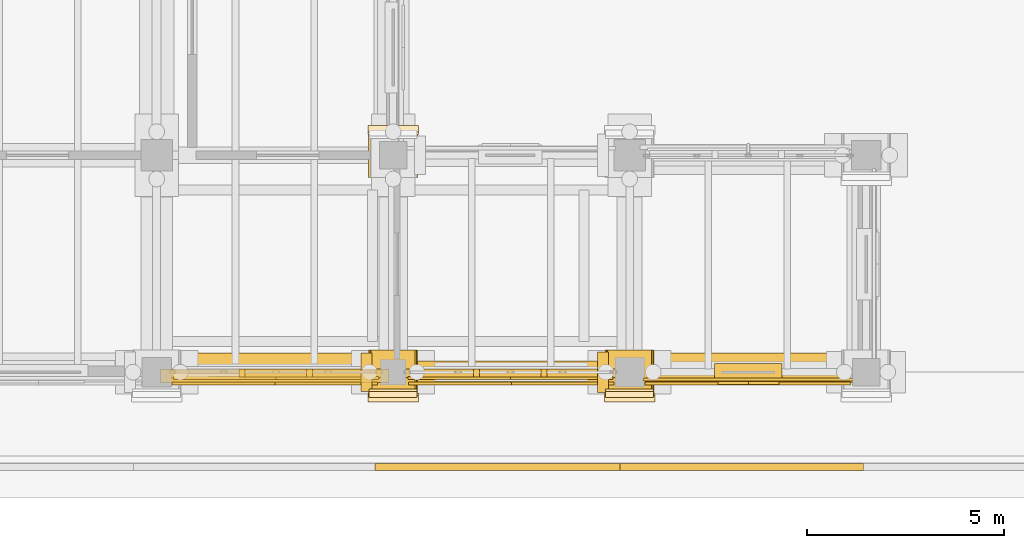
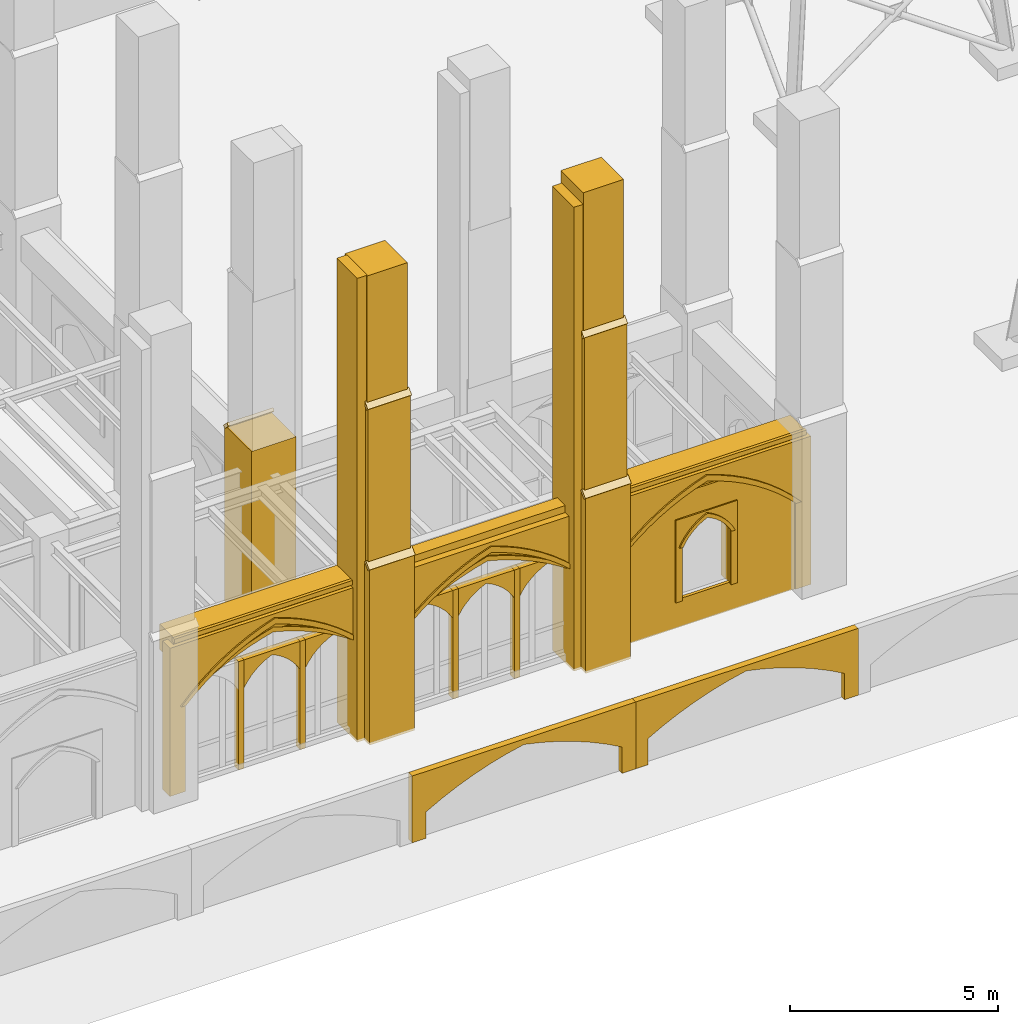
# One storey, part 98 of 135: 43 coverings.
"""IFC4 building model written with IfcOpenShell, lengths in metres."""

from ifc_helpers import new_model, si_unit, direction, frame, origin, origin_2d, place, context, subcontext, project, spatial, polyline, rectangle, outline, extrude, material, type_object, element, save


model = new_model("IFC4")

# Units and contexts
model_context = context("Model", 3, precision=1e-05, world=origin(), true_north=direction((0.0, 1.0)))
body_context = subcontext(model_context, "Body", "Model", "MODEL_VIEW")
ifc_project = project(units=[si_unit("LENGTHUNIT", "METRE"), si_unit("AREAUNIT", "SQUARE_METRE"), si_unit("VOLUMEUNIT", "CUBIC_METRE"), si_unit("PLANEANGLEUNIT", "RADIAN"), si_unit("MASSUNIT", "GRAM", prefix="KILO")], contexts=[model_context])

# Site, building, storey
site_placement = place(None, origin())
site = spatial("IfcSite", under=ifc_project, at=site_placement, CompositionType="ELEMENT")
building_placement = place(site_placement, origin())
building = spatial("IfcBuilding", under=site, at=building_placement, Name="Cumevento Cable Car Station", CompositionType="ELEMENT")
storey_placement = place(building_placement, origin())
storey = spatial("IfcBuildingStorey", under=building, at=storey_placement, Name="L01", CompositionType="ELEMENT", Elevation=0.0)

# Coverings
ifc_material = material(Name="Gnaisse Facoidal Stone Ashlar 85 MPa", Category="masonry")
covering_type = type_object("IfcCoveringType", Name="Gnaisse Ashlar Cladding CV-CL01", PredefinedType="CLADDING", material=ifc_material)
covering_1_placement = place(storey_placement, frame((70.0, 3.909912109375, -0.06005859375), z_axis=(0.0, 0.0, 1.0), x_axis=(1.0, 0.0, 0.0)))
element("IfcCovering", 1, at=covering_1_placement, inside=storey, type_object=covering_type, Name="Stepped Gothic Stone Buttress Tier 1 bt:70.0:4.0", PredefinedType="CLADDING", context=body_context, shape_type="SweptSolid", body=[
    extrude(rectangle(XDim=1.239990234375, YDim=1.300048828125, at=origin_2d()), origin(), (0.0, 0.0, 1.0), 5.175537109375),
])
covering_2_placement = place(storey_placement, frame((69.360107421875, 3.239990234375, 5.095703125), z_axis=(0.0, -0.711135781079, 0.703054692658), x_axis=(1.0, 0.0, 0.0)))
element("IfcCovering", 2, at=covering_2_placement, inside=storey, type_object=covering_type, Name="Gothic Buttress Sloped Stone Weathering 1 bt:70.0:4.0", PredefinedType="CLADDING", context=body_context, shape_type="SweptSolid", body=[
    extrude(outline(polyline([(0.0, 0.0), (1.27978515625, 0.0), (1.27978515625, 0.24169083397703695), (0.0, 0.24169083397703695), (0.0, 0.0)])), origin(), (0.0, 0.0, -1.0), 0.090087890625),
])
covering_3_placement = place(storey_placement, frame((70.0, 3.969970703125, 4.84326171875), z_axis=(0.0, 0.0, 1.0), x_axis=(1.0, 0.0, 0.0)))
element("IfcCovering", 3, at=covering_3_placement, inside=storey, type_object=covering_type, Name="Stepped Gothic Stone Buttress Tier 2 bt:70.0:4.0", PredefinedType="CLADDING", context=body_context, shape_type="SweptSolid", body=[
    extrude(rectangle(XDim=1.179931640625, YDim=1.179931640625, at=origin_2d()), origin(), (0.0, 0.0, 1.0), 4.9033203125),
])
covering_4_placement = place(storey_placement, frame((69.389892578125, 3.360107421875, 9.726318359375), z_axis=(0.0, -0.714474823669, 0.699661151089), x_axis=(1.0, 0.0, 0.0)))
element("IfcCovering", 4, at=covering_4_placement, inside=storey, type_object=covering_type, Name="Gothic Buttress Sloped Stone Weathering 2 bt:70.0:4.0", PredefinedType="CLADDING", context=body_context, shape_type="SweptSolid", body=[
    extrude(outline(polyline([(0.0, 0.0), (1.22021484375, 0.0), (1.22021484375, 0.21424991728737655), (0.0, 0.21424991728737655), (0.0, 0.0)])), origin(), (0.0, 0.0, -1.0), 0.090087890625),
])
covering_5_placement = place(storey_placement, frame((70.0, 4.02001953125, 9.47412109375), z_axis=(0.0, 0.0, 1.0), x_axis=(1.0, 0.0, 0.0)))
element("IfcCovering", 5, at=covering_5_placement, inside=storey, type_object=covering_type, Name="Stepped Gothic Stone Buttress Tier 3 bt:70.0:4.0", PredefinedType="CLADDING", context=body_context, shape_type="SweptSolid", body=[
    extrude(rectangle(XDim=1.1201171875, YDim=1.080078125, at=origin_2d()), origin(), (0.0, 0.0, 1.0), 4.0859375),
])
covering_6_placement = place(storey_placement, frame((69.320068359375, 4.0, -0.06005859375), z_axis=(0.0, 0.0, 1.0), x_axis=(1.0, 0.0, 0.0)))
element("IfcCovering", 6, at=covering_6_placement, inside=storey, type_object=covering_type, Name="Corner Buttress Stone Return (70.0,4.0)", PredefinedType="CLADDING", context=body_context, shape_type="SweptSolid", body=[
    extrude(rectangle(XDim=0.280029296875, YDim=0.97998046875, at=origin_2d()), origin(), (0.0, 0.0, 1.0), 13.6201171875),
])
covering_7_placement = place(storey_placement, frame((70.0, 9.590087890625, -0.06005859375), z_axis=(0.0, 0.0, 1.0), x_axis=(-1.0, 0.0, 0.0)))
element("IfcCovering", 7, at=covering_7_placement, inside=storey, type_object=covering_type, Name="Stepped Gothic Stone Buttress Tier 1 bt:70.0:9.5", PredefinedType="CLADDING", context=body_context, shape_type="SweptSolid", body=[
    extrude(rectangle(XDim=1.239990234375, YDim=1.300048828125, at=origin_2d()), origin(), (0.0, 0.0, 1.0), 5.175537109375),
])
covering_8_placement = place(storey_placement, frame((70.639892578125, 10.260009765625, 5.095703125), z_axis=(0.0, 0.711135781079, 0.703054692658), x_axis=(-1.0, 0.0, 0.0)))
element("IfcCovering", 8, at=covering_8_placement, inside=storey, type_object=covering_type, Name="Gothic Buttress Sloped Stone Weathering 1 bt:70.0:9.5", PredefinedType="CLADDING", context=body_context, shape_type="SweptSolid", body=[
    extrude(outline(polyline([(0.0, 0.0), (1.27978515625, 0.0), (1.27978515625, 0.24169083397703695), (0.0, 0.24169083397703695), (0.0, 0.0)])), origin(), (0.0, 0.0, -1.0), 0.090087890625),
])
covering_9_placement = place(storey_placement, frame((76.0, 3.909912109375, -0.06005859375), z_axis=(0.0, 0.0, 1.0), x_axis=(1.0, 0.0, 0.0)))
element("IfcCovering", 9, at=covering_9_placement, inside=storey, type_object=covering_type, Name="Stepped Gothic Stone Buttress Tier 1 bt:76.0:4.0", PredefinedType="CLADDING", context=body_context, shape_type="SweptSolid", body=[
    extrude(rectangle(XDim=1.239990234375, YDim=1.300048828125, at=origin_2d()), origin(), (0.0, 0.0, 1.0), 5.175537109375),
])
covering_10_placement = place(storey_placement, frame((75.360107421875, 3.239990234375, 5.095703125), z_axis=(0.0, -0.711135781079, 0.703054692658), x_axis=(1.0, 0.0, 0.0)))
element("IfcCovering", 10, at=covering_10_placement, inside=storey, type_object=covering_type, Name="Gothic Buttress Sloped Stone Weathering 1 bt:76.0:4.0", PredefinedType="CLADDING", context=body_context, shape_type="SweptSolid", body=[
    extrude(outline(polyline([(0.0, 0.0), (1.27978515625, 0.0), (1.27978515625, 0.24169083397703695), (0.0, 0.24169083397703695), (0.0, 0.0)])), origin(), (0.0, 0.0, -1.0), 0.090087890625),
])
covering_11_placement = place(storey_placement, frame((76.0, 3.969970703125, 4.84326171875), z_axis=(0.0, 0.0, 1.0), x_axis=(1.0, 0.0, 0.0)))
element("IfcCovering", 11, at=covering_11_placement, inside=storey, type_object=covering_type, Name="Stepped Gothic Stone Buttress Tier 2 bt:76.0:4.0", PredefinedType="CLADDING", context=body_context, shape_type="SweptSolid", body=[
    extrude(rectangle(XDim=1.179931640625, YDim=1.179931640625, at=origin_2d()), origin(), (0.0, 0.0, 1.0), 4.9033203125),
])
covering_12_placement = place(storey_placement, frame((75.389892578125, 3.360107421875, 9.726318359375), z_axis=(0.0, -0.714474823669, 0.699661151089), x_axis=(1.0, 0.0, 0.0)))
element("IfcCovering", 12, at=covering_12_placement, inside=storey, type_object=covering_type, Name="Gothic Buttress Sloped Stone Weathering 2 bt:76.0:4.0", PredefinedType="CLADDING", context=body_context, shape_type="SweptSolid", body=[
    extrude(outline(polyline([(0.0, 0.0), (1.22021484375, 0.0), (1.22021484375, 0.21424991728737655), (0.0, 0.21424991728737655), (0.0, 0.0)])), origin(), (0.0, 0.0, -1.0), 0.090087890625),
])
covering_13_placement = place(storey_placement, frame((76.0, 4.02001953125, 9.47412109375), z_axis=(0.0, 0.0, 1.0), x_axis=(1.0, 0.0, 0.0)))
element("IfcCovering", 13, at=covering_13_placement, inside=storey, type_object=covering_type, Name="Stepped Gothic Stone Buttress Tier 3 bt:76.0:4.0", PredefinedType="CLADDING", context=body_context, shape_type="SweptSolid", body=[
    extrude(rectangle(XDim=1.1201171875, YDim=1.080078125, at=origin_2d()), origin(), (0.0, 0.0, 1.0), 4.426025390625),
])
covering_14_placement = place(storey_placement, frame((75.320068359375, 4.0, -0.06005859375), z_axis=(0.0, 0.0, 1.0), x_axis=(1.0, 0.0, 0.0)))
element("IfcCovering", 14, at=covering_14_placement, inside=storey, type_object=covering_type, Name="Corner Buttress Stone Return (76.0,4.0)", PredefinedType="CLADDING", context=body_context, shape_type="SweptSolid", body=[
    extrude(rectangle(XDim=0.280029296875, YDim=1.030029296875, at=origin_2d()), origin(), (0.0, 0.0, 1.0), 13.6201171875),
])
covering_15_placement = place(storey_placement, frame((67.02490234375, 4.14990234375, 3.80908203125), z_axis=(0.0, 0.0, 1.0), x_axis=(-1.0, 0.0, 0.0)))
element("IfcCovering", 15, at=covering_15_placement, inside=storey, type_object=covering_type, Name="Gothic Stone Spandrel Stringcourse sc:0015", PredefinedType="CLADDING", context=body_context, shape_type="SweptSolid", body=[
    extrude(rectangle(XDim=5.5400390625, YDim=0.659912109375, at=origin_2d()), origin(), (0.0, 0.0, 1.0), 0.7470703125),
])
covering_16_placement = place(storey_placement, frame((67.02490234375, 3.79248046875, 4.426025390625), z_axis=(0.0, 0.0, 1.0), x_axis=(-1.0, 0.0, 0.0)))
element("IfcCovering", 16, at=covering_16_placement, inside=storey, type_object=covering_type, Name="Gothic Cornice Dripstone Lip sc:0015", PredefinedType="CLADDING", context=body_context, shape_type="SweptSolid", body=[
    extrude(rectangle(XDim=5.580078125, YDim=0.114990234375, at=origin_2d()), origin(), (0.0, 0.0, 1.0), 0.1298828125),
])
covering_17_placement = place(storey_placement, frame((72.97509765625, 4.090087890625, 3.80908203125), z_axis=(0.0, 0.0, 1.0), x_axis=(-1.0, 0.0, 0.0)))
element("IfcCovering", 17, at=covering_17_placement, inside=storey, type_object=covering_type, Name="Gothic Stone Spandrel Stringcourse sc:0016", PredefinedType="CLADDING", context=body_context, shape_type="SweptSolid", body=[
    extrude(rectangle(XDim=5.360107421875, YDim=0.3798828125, at=origin_2d()), origin(), (0.0, 0.0, 1.0), 0.7470703125),
])
covering_18_placement = place(storey_placement, frame((79.012451171875, 4.14990234375, 3.80908203125), z_axis=(0.0, 0.0, 1.0), x_axis=(-1.0, 0.0, 0.0)))
element("IfcCovering", 18, at=covering_18_placement, inside=storey, type_object=covering_type, Name="Gothic Stone Spandrel Stringcourse sc:0017", PredefinedType="CLADDING", context=body_context, shape_type="SweptSolid", body=[
    extrude(rectangle(XDim=5.514892578125, YDim=0.659912109375, at=origin_2d()), origin(), (0.0, 0.0, 1.0), 0.7470703125),
])
covering_19_placement = place(storey_placement, frame((79.012451171875, 3.79248046875, 4.426025390625), z_axis=(0.0, 0.0, 1.0), x_axis=(-1.0, 0.0, 0.0)))
element("IfcCovering", 19, at=covering_19_placement, inside=storey, type_object=covering_type, Name="Gothic Cornice Dripstone Lip sc:0017", PredefinedType="CLADDING", context=body_context, shape_type="SweptSolid", body=[
    extrude(rectangle(XDim=5.554931640625, YDim=0.114990234375, at=origin_2d()), origin(), (0.0, 0.0, 1.0), 0.1298828125),
])
placement_1 = place(storey_placement, frame((69.675048828125, 4.0, 0.0), z_axis=(0.0, 0.0, 1.0), x_axis=(-1.0, 0.0, 0.0)))
element("IfcCovering", 20, at=placement_1, inside=storey, type_object=covering_type, Name="Gothic Ogival Pointed-Arch Stone Spandrel cw_ogival:0008", PredefinedType="CLADDING", context=body_context, shape_type="SweptSolid", body=[
    extrude(outline(polyline([(-0.080078125, 0.0), (-0.080078125, 3.948974609375), (5.3798828125, 3.948974609375), (5.3798828125, 0.0), (5.139892578125, 0.0), (5.139892578125, 2.53369140625), (4.859619140625, 2.7412109375), (4.568603515625, 2.93359375), (4.26806640625, 3.110595703125), (3.958740234375, 3.271728515625), (3.641357421875, 3.41650390625), (3.31689453125, 3.54443359375), (2.986083984375, 3.655517578125), (2.64990234375, 3.748779296875), (2.31396484375, 3.655517578125), (1.983154296875, 3.54443359375), (1.65869140625, 3.41650390625), (1.34130859375, 3.271728515625), (1.031982421875, 3.110595703125), (0.7314453125, 2.93359375), (0.4404296875, 2.7412109375), (0.159912109375, 2.53369140625), (0.159912109375, 0.0), (-0.080078125, 0.0)])), frame((0.0, 0.139892578125, 0.0), z_axis=(0.0, -1.0, 0.0), x_axis=(1.0, 0.0, 0.0)), (0.0, 0.0, 1.0), 0.219970703125),
])
covering_21_placement = place(storey_placement, frame((69.675048828125, 4.0, 2.53369140625), z_axis=(0.0, 0.0, 1.0), x_axis=(-1.0, 0.0, 0.0)))
element("IfcCovering", 21, at=covering_21_placement, inside=storey, type_object=covering_type, Name="Gothic Pointed Archivolt Hood Moulding cw_ogival:0008", PredefinedType="CLADDING", context=body_context, shape_type="SweptSolid", body=[
    extrude(outline(polyline([(0.159912109375, 0.0), (0.4404296875, 0.20751953125), (0.7314453125, 0.39990234375), (1.031982421875, 0.576904296875), (1.34130859375, 0.738037109375), (1.65869140625, 0.8828125), (1.983154296875, 1.0107421875), (2.31396484375, 1.121826171875), (2.64990234375, 1.215087890625), (2.986083984375, 1.121826171875), (3.31689453125, 1.0107421875), (3.641357421875, 0.8828125), (3.958740234375, 0.738037109375), (4.26806640625, 0.576904296875), (4.568603515625, 0.39990234375), (4.859619140625, 0.20751953125), (5.139892578125, 0.0), (5.25, 0.0), (4.961181640625, 0.230224609375), (4.66015625, 0.444091796875), (4.34765625, 0.640869140625), (4.02490234375, 0.8203125), (3.69287109375, 0.981689453125), (3.352294921875, 1.12451171875), (3.00439453125, 1.248291015625), (2.64990234375, 1.352783203125), (2.295654296875, 1.248291015625), (1.94775390625, 1.12451171875), (1.607177734375, 0.981689453125), (1.275146484375, 0.8203125), (0.952392578125, 0.640869140625), (0.639892578125, 0.444091796875), (0.3388671875, 0.230224609375), (0.050048828125, 0.0), (0.159912109375, 0.0)])), frame((0.0, 0.181884765625, 0.0), z_axis=(0.0, -1.0, 0.0), x_axis=(1.0, 0.0, 0.0)), (0.0, 0.0, 1.0), 0.06689453125),
])
element("IfcCovering", 22, at=placement_1, inside=storey, type_object=covering_type, Name="Gothic Bifora Stone Colonnette cw_ogival:0008 #1", PredefinedType="CLADDING", context=body_context, shape_type="SweptSolid", body=[
    extrude(outline(polyline([(1.719970703125, -0.02001953125), (1.8701171875, -0.02001953125), (1.8701171875, 3.165771484375), (1.719970703125, 3.165771484375), (1.719970703125, -0.02001953125)])), frame((0.0, 0.1279296875, 0.0), z_axis=(0.0, -1.0, 0.0), x_axis=(1.0, 0.0, 0.0)), (0.0, 0.0, 1.0), 0.205078125),
])
element("IfcCovering", 23, at=placement_1, inside=storey, type_object=covering_type, Name="Gothic Bifora Stone Colonnette cw_ogival:0008 #2", PredefinedType="CLADDING", context=body_context, shape_type="SweptSolid", body=[
    extrude(outline(polyline([(3.429931640625, -0.02001953125), (3.580078125, -0.02001953125), (3.580078125, 3.165771484375), (3.429931640625, 3.165771484375), (3.429931640625, -0.02001953125)])), frame((0.0, 0.1279296875, 0.0), z_axis=(0.0, -1.0, 0.0), x_axis=(1.0, 0.0, 0.0)), (0.0, 0.0, 1.0), 0.205078125),
])
for number, where, z_axis, x_axis, name in (
    (24, (69.544921875, 4.0, 2.353759765625), (0.0, 0.0, 1.0), (-1.0, 0.0, 0.0), "Gothic Ogival Pointed-Arch Stone Spandrel cw_ogival:0008:sub:0"),
    (25, (67.8349609375, 4.0, 2.353759765625), (0.0, 0.0, 1.0), (-1.0, 0.0, 0.0), "Gothic Ogival Pointed-Arch Stone Spandrel cw_ogival:0008:sub:1"),
):
    element("IfcCovering", number, at=place(storey_placement, frame(where, z_axis=z_axis, x_axis=x_axis)), inside=storey, type_object=covering_type, Name=name, PredefinedType="CLADDING", context=body_context, shape_type="SweptSolid", body=[
        extrude(outline(polyline([(-0.02001953125, 0.0), (-0.02001953125, 0.81201171875), (1.639892578125, 0.81201171875), (1.639892578125, 0.0), (1.580078125, 0.0), (1.487060546875, 0.149169921875), (1.3779296875, 0.286865234375), (1.25390625, 0.411376953125), (1.11669921875, 0.521240234375), (0.96826171875, 0.615234375), (0.81005859375, 0.69189453125), (0.65185546875, 0.615234375), (0.50341796875, 0.521240234375), (0.3662109375, 0.411376953125), (0.2421875, 0.286865234375), (0.133056640625, 0.149169921875), (0.0400390625, 0.0), (-0.02001953125, 0.0)])), frame((0.0, 0.1240234375, 0.0), z_axis=(0.0, -1.0, 0.0), x_axis=(1.0, 0.0, 0.0)), (0.0, 0.0, 1.0), 0.199951171875),
    ])
placement_2 = place(storey_placement, frame((75.625, 4.0, 0.0), z_axis=(0.0, 0.0, 1.0), x_axis=(-1.0, 0.0, 0.0)))
element("IfcCovering", 26, at=placement_2, inside=storey, type_object=covering_type, Name="Gothic Ogival Pointed-Arch Stone Spandrel cw_ogival:0009", PredefinedType="CLADDING", context=body_context, shape_type="SweptSolid", body=[
    extrude(outline(polyline([(-0.080078125, 0.0), (-0.080078125, 3.948974609375), (5.3798828125, 3.948974609375), (5.3798828125, 0.0), (5.139892578125, 0.0), (5.139892578125, 2.5517578125), (4.858642578125, 2.75634765625), (4.5673828125, 2.946044921875), (4.266357421875, 3.120361328125), (3.95703125, 3.279052734375), (3.6396484375, 3.421630859375), (3.315673828125, 3.5478515625), (2.9853515625, 3.656982421875), (2.64990234375, 3.7490234375), (2.314697265625, 3.656982421875), (1.984375, 3.5478515625), (1.660400390625, 3.421630859375), (1.343017578125, 3.279052734375), (1.03369140625, 3.120361328125), (0.732666015625, 2.946044921875), (0.44140625, 2.75634765625), (0.159912109375, 2.5517578125), (0.159912109375, 0.0), (-0.080078125, 0.0)])), frame((0.0, 0.139892578125, 0.0), z_axis=(0.0, -1.0, 0.0), x_axis=(1.0, 0.0, 0.0)), (0.0, 0.0, 1.0), 0.219970703125),
])
covering_25_placement = place(storey_placement, frame((75.625, 4.0, 2.5517578125), z_axis=(0.0, 0.0, 1.0), x_axis=(-1.0, 0.0, 0.0)))
element("IfcCovering", 27, at=covering_25_placement, inside=storey, type_object=covering_type, Name="Gothic Pointed Archivolt Hood Moulding cw_ogival:0009", PredefinedType="CLADDING", context=body_context, shape_type="SweptSolid", body=[
    extrude(outline(polyline([(0.159912109375, 0.0), (0.44140625, 0.20458984375), (0.732666015625, 0.394287109375), (1.03369140625, 0.568603515625), (1.343017578125, 0.727294921875), (1.660400390625, 0.869873046875), (1.984375, 0.99609375), (2.314697265625, 1.105224609375), (2.64990234375, 1.197265625), (2.9853515625, 1.105224609375), (3.315673828125, 0.99609375), (3.6396484375, 0.869873046875), (3.95703125, 0.727294921875), (4.266357421875, 0.568603515625), (4.5673828125, 0.394287109375), (4.858642578125, 0.20458984375), (5.139892578125, 0.0), (5.25, 0.0), (4.96044921875, 0.227294921875), (4.65869140625, 0.438232421875), (4.345947265625, 0.6328125), (4.023193359375, 0.809814453125), (3.691162109375, 0.968994140625), (3.350830078125, 1.109619140625), (3.003662109375, 1.231689453125), (2.64990234375, 1.334716796875), (2.29638671875, 1.231689453125), (1.94921875, 1.109619140625), (1.60888671875, 0.968994140625), (1.27685546875, 0.809814453125), (0.9541015625, 0.6328125), (0.641357421875, 0.438232421875), (0.339599609375, 0.227294921875), (0.050048828125, 0.0), (0.159912109375, 0.0)])), frame((0.0, 0.181884765625, 0.0), z_axis=(0.0, -1.0, 0.0), x_axis=(1.0, 0.0, 0.0)), (0.0, 0.0, 1.0), 0.06689453125),
])
element("IfcCovering", 28, at=placement_2, inside=storey, type_object=covering_type, Name="Gothic Bifora Stone Colonnette cw_ogival:0009 #1", PredefinedType="CLADDING", context=body_context, shape_type="SweptSolid", body=[
    extrude(outline(polyline([(1.719970703125, -0.02001953125), (1.8701171875, -0.02001953125), (1.8701171875, 3.17431640625), (1.719970703125, 3.17431640625), (1.719970703125, -0.02001953125)])), frame((0.0, 0.1279296875, 0.0), z_axis=(0.0, -1.0, 0.0), x_axis=(1.0, 0.0, 0.0)), (0.0, 0.0, 1.0), 0.205078125),
])
element("IfcCovering", 29, at=placement_2, inside=storey, type_object=covering_type, Name="Gothic Bifora Stone Colonnette cw_ogival:0009 #2", PredefinedType="CLADDING", context=body_context, shape_type="SweptSolid", body=[
    extrude(outline(polyline([(3.429931640625, -0.02001953125), (3.580078125, -0.02001953125), (3.580078125, 3.17431640625), (3.429931640625, 3.17431640625), (3.429931640625, -0.02001953125)])), frame((0.0, 0.1279296875, 0.0), z_axis=(0.0, -1.0, 0.0), x_axis=(1.0, 0.0, 0.0)), (0.0, 0.0, 1.0), 0.205078125),
])
for number, where, z_axis, x_axis, name in (
    (30, (75.4951171875, 4.0, 2.371826171875), (0.0, 0.0, 1.0), (-1.0, 0.0, 0.0), "Gothic Ogival Pointed-Arch Stone Spandrel cw_ogival:0009:sub:0"),
    (31, (73.784912109375, 4.0, 2.371826171875), (0.0, 0.0, 1.0), (-1.0, 0.0, 0.0), "Gothic Ogival Pointed-Arch Stone Spandrel cw_ogival:0009:sub:1"),
    (32, (72.074951171875, 4.0, 2.371826171875), (0.0, 0.0, 1.0), (-1.0, 0.0, 0.0), "Gothic Ogival Pointed-Arch Stone Spandrel cw_ogival:0009:sub:2"),
):
    element("IfcCovering", number, at=place(storey_placement, frame(where, z_axis=z_axis, x_axis=x_axis)), inside=storey, type_object=covering_type, Name=name, PredefinedType="CLADDING", context=body_context, shape_type="SweptSolid", body=[
        extrude(outline(polyline([(-0.02001953125, 0.0), (-0.02001953125, 0.802490234375), (1.639892578125, 0.802490234375), (1.639892578125, 0.0), (1.580078125, 0.0), (1.486328125, 0.147216796875), (1.376708984375, 0.283203125), (1.252685546875, 0.406005859375), (1.11572265625, 0.514404296875), (0.967529296875, 0.60693359375), (0.81005859375, 0.6826171875), (0.652587890625, 0.60693359375), (0.50439453125, 0.514404296875), (0.367431640625, 0.406005859375), (0.243408203125, 0.283203125), (0.1337890625, 0.147216796875), (0.0400390625, 0.0), (-0.02001953125, 0.0)])), frame((0.0, 0.1240234375, 0.0), z_axis=(0.0, -1.0, 0.0), x_axis=(1.0, 0.0, 0.0)), (0.0, 0.0, 1.0), 0.199951171875),
    ])
covering_28_placement = place(storey_placement, frame((81.64990234375, 4.0, 0.0), z_axis=(0.0, 0.0, 1.0), x_axis=(-1.0, 0.0, 0.0)))
element("IfcCovering", 33, at=covering_28_placement, inside=storey, type_object=covering_type, Name="Exterior Gnaisse Stone Wall Ashlar #120", PredefinedType="CLADDING", context=body_context, shape_type="SweptSolid", body=[
    extrude(outline(polyline([(-0.0400390625, -0.02001953125), (5.31494140625, -0.02001953125), (5.31494140625, 3.888916015625), (-0.0400390625, 3.888916015625), (-0.0400390625, -0.02001953125)]), holes=[polyline([(1.972412109375, 0.81005859375), (3.302490234375, 0.81005859375), (3.302490234375, 2.93994140625), (1.972412109375, 2.93994140625), (1.972412109375, 0.81005859375)])]), frame((0.0, 0.22998046875, 0.0), z_axis=(0.0, -1.0, 0.0), x_axis=(1.0, 0.0, 0.0)), (0.0, 0.0, 1.0), 0.0849609375),
])
covering_29_placement = place(storey_placement, frame((79.827392578125, 4.0, 0.75), z_axis=(0.0, 0.0, 1.0), x_axis=(-1.0, 0.0, 0.0)))
element("IfcCovering", 34, at=covering_29_placement, inside=storey, type_object=covering_type, Name="Gothic Ogival Pointed-Arch Stone Spandrel op_ogival:0120:1", PredefinedType="CLADDING", context=body_context, shape_type="SweptSolid", body=[
    extrude(outline(polyline([(-0.0400390625, 0.0), (-0.0400390625, 2.419921875), (1.669921875, 2.419921875), (1.669921875, 0.0), (1.489990234375, 0.0), (1.489990234375, 1.597900390625), (1.423583984375, 1.71630859375), (1.345703125, 1.82763671875), (1.257080078125, 1.930419921875), (1.15869140625, 2.0244140625), (1.051513671875, 2.107421875), (0.9365234375, 2.179443359375), (0.81494140625, 2.239990234375), (0.693359375, 2.179443359375), (0.578369140625, 2.107421875), (0.47119140625, 2.0244140625), (0.372802734375, 1.930419921875), (0.2841796875, 1.82763671875), (0.206298828125, 1.71630859375), (0.139892578125, 1.597900390625), (0.139892578125, 0.0), (-0.0400390625, 0.0)])), frame((0.0, 0.26806640625, 0.0), z_axis=(0.0, -1.0, 0.0), x_axis=(1.0, 0.0, 0.0)), (0.0, 0.0, 1.0), 0.489990234375),
])
covering_30_placement = place(storey_placement, frame((79.827392578125, 4.0, 2.347900390625), z_axis=(0.0, 0.0, 1.0), x_axis=(-1.0, 0.0, 0.0)))
element("IfcCovering", 35, at=covering_30_placement, inside=storey, type_object=covering_type, Name="Gothic Pointed Archivolt Hood Moulding op_ogival:0120:1", PredefinedType="CLADDING", context=body_context, shape_type="SweptSolid", body=[
    extrude(outline(polyline([(0.139892578125, 0.0), (0.206298828125, 0.118408203125), (0.2841796875, 0.229736328125), (0.372802734375, 0.33251953125), (0.47119140625, 0.42626953125), (0.578369140625, 0.509521484375), (0.693359375, 0.58154296875), (0.81494140625, 0.64208984375), (0.9365234375, 0.58154296875), (1.051513671875, 0.509521484375), (1.15869140625, 0.42626953125), (1.257080078125, 0.33251953125), (1.345703125, 0.229736328125), (1.423583984375, 0.118408203125), (1.489990234375, 0.0), (1.589111328125, 0.0), (1.51513671875, 0.140625), (1.42724609375, 0.27294921875), (1.326416015625, 0.395751953125), (1.21337890625, 0.507568359375), (1.089599609375, 0.607177734375), (0.956298828125, 0.693359375), (0.81494140625, 0.765869140625), (0.673583984375, 0.693359375), (0.540283203125, 0.607177734375), (0.41650390625, 0.507568359375), (0.303466796875, 0.395751953125), (0.20263671875, 0.27294921875), (0.11474609375, 0.140625), (0.041015625, 0.0), (0.139892578125, 0.0)])), frame((0.0, 0.31005859375, 0.0), z_axis=(0.0, -1.0, 0.0), x_axis=(1.0, 0.0, 0.0)), (0.0, 0.0, 1.0), 0.06689453125),
])
covering_31_placement = place(storey_placement, frame((69.64990234375, 4.0, 0.0), z_axis=(0.0, 0.0, 1.0), x_axis=(-1.0, 0.0, 0.0)))
element("IfcCovering", 36, at=covering_31_placement, inside=storey, type_object=covering_type, Name="Gothic Ogival Pointed-Arch Stone Spandrel south_arcade:06", PredefinedType="CLADDING", context=body_context, shape_type="SweptSolid", body=[
    extrude(outline(polyline([(-0.25, 0.0), (-0.25, 4.35009765625), (5.550048828125, 4.35009765625), (5.550048828125, 0.0), (5.1201171875, 0.0), (5.1201171875, 2.550048828125), (4.85791015625, 2.80615234375), (4.580078125, 3.044921875), (4.287841796875, 3.265869140625), (3.98193359375, 3.467529296875), (3.6640625, 3.649658203125), (3.335205078125, 3.81103515625), (2.996826171875, 3.951416015625), (2.64990234375, 4.070068359375), (2.30322265625, 3.951416015625), (1.96484375, 3.81103515625), (1.635986328125, 3.649658203125), (1.318115234375, 3.467529296875), (1.01220703125, 3.265869140625), (0.719970703125, 3.044921875), (0.442138671875, 2.80615234375), (0.179931640625, 2.550048828125), (0.179931640625, 0.0), (-0.25, 0.0)])), frame((0.0, 0.280029296875, 0.0), z_axis=(0.0, -1.0, 0.0), x_axis=(1.0, 0.0, 0.0)), (0.0, 0.0, 1.0), 0.360107421875),
])
covering_32_placement = place(storey_placement, frame((69.64990234375, 4.0, 2.550048828125), z_axis=(0.0, 0.0, 1.0), x_axis=(-1.0, 0.0, 0.0)))
element("IfcCovering", 37, at=covering_32_placement, inside=storey, type_object=covering_type, Name="Gothic Pointed Archivolt Hood Moulding south_arcade:06", PredefinedType="CLADDING", context=body_context, shape_type="SweptSolid", body=[
    extrude(outline(polyline([(0.179931640625, 0.0), (0.442138671875, 0.256103515625), (0.719970703125, 0.494873046875), (1.01220703125, 0.7158203125), (1.318115234375, 0.91748046875), (1.635986328125, 1.099609375), (1.96484375, 1.260986328125), (2.30322265625, 1.4013671875), (2.64990234375, 1.52001953125), (2.996826171875, 1.4013671875), (3.335205078125, 1.260986328125), (3.6640625, 1.099609375), (3.98193359375, 0.91748046875), (4.287841796875, 0.7158203125), (4.580078125, 0.494873046875), (4.85791015625, 0.256103515625), (5.1201171875, 0.0), (5.260009765625, 0.0), (4.988037109375, 0.284423828125), (4.697998046875, 0.55029296875), (4.390625, 0.796142578125), (4.06787109375, 1.021484375), (3.73095703125, 1.224609375), (3.38134765625, 1.4052734375), (3.0205078125, 1.562255859375), (2.64990234375, 1.695068359375), (2.279541015625, 1.562255859375), (1.918701171875, 1.4052734375), (1.569091796875, 1.224609375), (1.232177734375, 1.021484375), (0.909423828125, 0.796142578125), (0.60205078125, 0.55029296875), (0.31201171875, 0.284423828125), (0.0400390625, 0.0), (0.179931640625, 0.0)])), frame((0.0, 0.322021484375, 0.0), z_axis=(0.0, -1.0, 0.0), x_axis=(1.0, 0.0, 0.0)), (0.0, 0.0, 1.0), 0.06689453125),
])
covering_33_placement = place(storey_placement, frame((75.64990234375, 4.0, 0.0), z_axis=(0.0, 0.0, 1.0), x_axis=(-1.0, 0.0, 0.0)))
element("IfcCovering", 38, at=covering_33_placement, inside=storey, type_object=covering_type, Name="Gothic Ogival Pointed-Arch Stone Spandrel south_arcade:07", PredefinedType="CLADDING", context=body_context, shape_type="SweptSolid", body=[
    extrude(outline(polyline([(-0.25, 0.0), (-0.25, 4.35009765625), (5.550048828125, 4.35009765625), (5.550048828125, 0.0), (5.1201171875, 0.0), (5.1201171875, 2.550048828125), (4.85791015625, 2.80615234375), (4.580078125, 3.044921875), (4.287841796875, 3.265869140625), (3.98193359375, 3.467529296875), (3.6640625, 3.649658203125), (3.335205078125, 3.81103515625), (2.996826171875, 3.951416015625), (2.64990234375, 4.070068359375), (2.30322265625, 3.951416015625), (1.96484375, 3.81103515625), (1.635986328125, 3.649658203125), (1.318115234375, 3.467529296875), (1.01220703125, 3.265869140625), (0.719970703125, 3.044921875), (0.442138671875, 2.80615234375), (0.179931640625, 2.550048828125), (0.179931640625, 0.0), (-0.25, 0.0)])), frame((0.0, 0.280029296875, 0.0), z_axis=(0.0, -1.0, 0.0), x_axis=(1.0, 0.0, 0.0)), (0.0, 0.0, 1.0), 0.360107421875),
])
covering_34_placement = place(storey_placement, frame((75.64990234375, 4.0, 2.550048828125), z_axis=(0.0, 0.0, 1.0), x_axis=(-1.0, 0.0, 0.0)))
element("IfcCovering", 39, at=covering_34_placement, inside=storey, type_object=covering_type, Name="Gothic Pointed Archivolt Hood Moulding south_arcade:07", PredefinedType="CLADDING", context=body_context, shape_type="SweptSolid", body=[
    extrude(outline(polyline([(0.179931640625, 0.0), (0.442138671875, 0.256103515625), (0.719970703125, 0.494873046875), (1.01220703125, 0.7158203125), (1.318115234375, 0.91748046875), (1.635986328125, 1.099609375), (1.96484375, 1.260986328125), (2.30322265625, 1.4013671875), (2.64990234375, 1.52001953125), (2.996826171875, 1.4013671875), (3.335205078125, 1.260986328125), (3.6640625, 1.099609375), (3.98193359375, 0.91748046875), (4.287841796875, 0.7158203125), (4.580078125, 0.494873046875), (4.85791015625, 0.256103515625), (5.1201171875, 0.0), (5.260009765625, 0.0), (4.988037109375, 0.284423828125), (4.697998046875, 0.55029296875), (4.390625, 0.796142578125), (4.06787109375, 1.021484375), (3.73095703125, 1.224609375), (3.38134765625, 1.4052734375), (3.0205078125, 1.562255859375), (2.64990234375, 1.695068359375), (2.279541015625, 1.562255859375), (1.918701171875, 1.4052734375), (1.569091796875, 1.224609375), (1.232177734375, 1.021484375), (0.909423828125, 0.796142578125), (0.60205078125, 0.55029296875), (0.31201171875, 0.284423828125), (0.0400390625, 0.0), (0.179931640625, 0.0)])), frame((0.0, 0.322021484375, 0.0), z_axis=(0.0, -1.0, 0.0), x_axis=(1.0, 0.0, 0.0)), (0.0, 0.0, 1.0), 0.06689453125),
])
covering_35_placement = place(storey_placement, frame((81.64990234375, 4.0, 0.0), z_axis=(0.0, 0.0, 1.0), x_axis=(-1.0, 0.0, 0.0)))
element("IfcCovering", 40, at=covering_35_placement, inside=storey, type_object=covering_type, Name="Gothic Ogival Pointed-Arch Stone Spandrel south_arcade:08", PredefinedType="CLADDING", context=body_context, shape_type="SweptSolid", body=[
    extrude(outline(polyline([(-0.25, 0.0), (-0.25, 4.35009765625), (5.550048828125, 4.35009765625), (5.550048828125, 0.0), (5.1201171875, 0.0), (5.1201171875, 2.550048828125), (4.85791015625, 2.80615234375), (4.580078125, 3.044921875), (4.287841796875, 3.265869140625), (3.98193359375, 3.467529296875), (3.6640625, 3.649658203125), (3.335205078125, 3.81103515625), (2.996826171875, 3.951416015625), (2.64990234375, 4.070068359375), (2.30322265625, 3.951416015625), (1.96484375, 3.81103515625), (1.635986328125, 3.649658203125), (1.318115234375, 3.467529296875), (1.01220703125, 3.265869140625), (0.719970703125, 3.044921875), (0.442138671875, 2.80615234375), (0.179931640625, 2.550048828125), (0.179931640625, 0.0), (-0.25, 0.0)])), frame((0.0, 0.280029296875, 0.0), z_axis=(0.0, -1.0, 0.0), x_axis=(1.0, 0.0, 0.0)), (0.0, 0.0, 1.0), 0.360107421875),
])
covering_36_placement = place(storey_placement, frame((81.64990234375, 4.0, 2.550048828125), z_axis=(0.0, 0.0, 1.0), x_axis=(-1.0, 0.0, 0.0)))
element("IfcCovering", 41, at=covering_36_placement, inside=storey, type_object=covering_type, Name="Gothic Pointed Archivolt Hood Moulding south_arcade:08", PredefinedType="CLADDING", context=body_context, shape_type="SweptSolid", body=[
    extrude(outline(polyline([(0.179931640625, 0.0), (0.442138671875, 0.256103515625), (0.719970703125, 0.494873046875), (1.01220703125, 0.7158203125), (1.318115234375, 0.91748046875), (1.635986328125, 1.099609375), (1.96484375, 1.260986328125), (2.30322265625, 1.4013671875), (2.64990234375, 1.52001953125), (2.996826171875, 1.4013671875), (3.335205078125, 1.260986328125), (3.6640625, 1.099609375), (3.98193359375, 0.91748046875), (4.287841796875, 0.7158203125), (4.580078125, 0.494873046875), (4.85791015625, 0.256103515625), (5.1201171875, 0.0), (5.260009765625, 0.0), (4.988037109375, 0.284423828125), (4.697998046875, 0.55029296875), (4.390625, 0.796142578125), (4.06787109375, 1.021484375), (3.73095703125, 1.224609375), (3.38134765625, 1.4052734375), (3.0205078125, 1.562255859375), (2.64990234375, 1.695068359375), (2.279541015625, 1.562255859375), (1.918701171875, 1.4052734375), (1.569091796875, 1.224609375), (1.232177734375, 1.021484375), (0.909423828125, 0.796142578125), (0.60205078125, 0.55029296875), (0.31201171875, 0.284423828125), (0.0400390625, 0.0), (0.179931640625, 0.0)])), frame((0.0, 0.322021484375, 0.0), z_axis=(0.0, -1.0, 0.0), x_axis=(1.0, 0.0, 0.0)), (0.0, 0.0, 1.0), 0.06689453125),
])
for number, where, z_axis, x_axis, name in (
    (42, (75.73876953125, 1.64990234375, -1.919921875), (0.0, 0.0, 1.0), (-1.0, 0.0, 0.0), "Gothic Ogival Pointed-Arch Stone Spandrel cumevento_plinth:plinth_arch:S:11"),
    (43, (81.912841796875, 1.64990234375, -1.919921875), (0.0, 0.0, 1.0), (-1.0, 0.0, 0.0), "Gothic Ogival Pointed-Arch Stone Spandrel cumevento_plinth:plinth_arch:S:12"),
):
    element("IfcCovering", number, at=place(storey_placement, frame(where, z_axis=z_axis, x_axis=x_axis)), inside=storey, type_object=covering_type, Name=name, PredefinedType="CLADDING", context=body_context, shape_type="SweptSolid", body=[
        extrude(outline(polyline([(-0.02001953125, 0.0), (-0.02001953125, 1.9599609375), (6.194091796875, 1.9599609375), (6.194091796875, 0.0), (5.81396484375, 0.0), (5.81396484375, 0.77001953125), (5.3857421875, 1.00390625), (4.945068359375, 1.213623046875), (4.493408203125, 1.3984375), (4.0322265625, 1.558349609375), (3.56298828125, 1.692138671875), (3.087158203125, 1.800048828125), (2.611083984375, 1.692138671875), (2.141845703125, 1.558349609375), (1.6806640625, 1.3984375), (1.22900390625, 1.213623046875), (0.788330078125, 1.00390625), (0.360107421875, 0.77001953125), (0.360107421875, 0.0), (-0.02001953125, 0.0)])), frame((0.0, 0.14990234375, 0.0), z_axis=(0.0, -1.0, 0.0), x_axis=(1.0, 0.0, 0.0)), (0.0, 0.0, 1.0), 0.179931640625),
    ])

save(model, "model.ifc")
